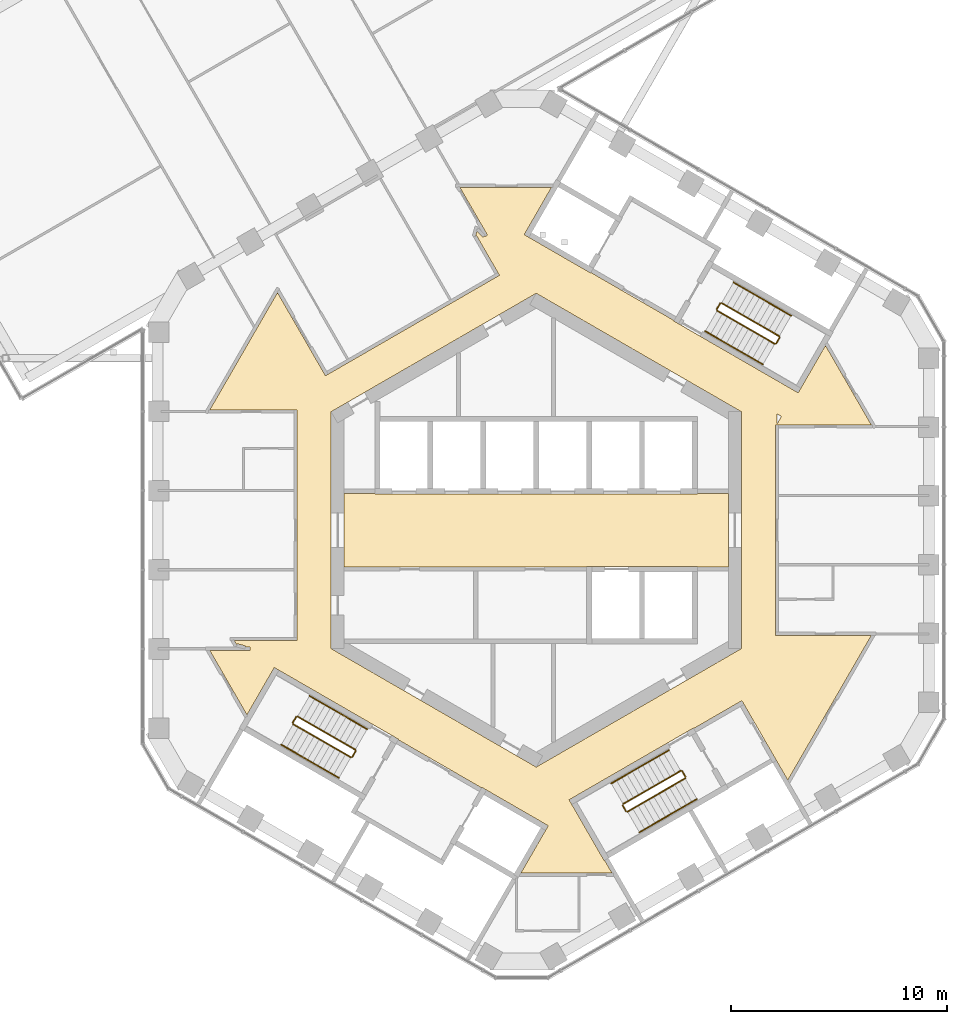
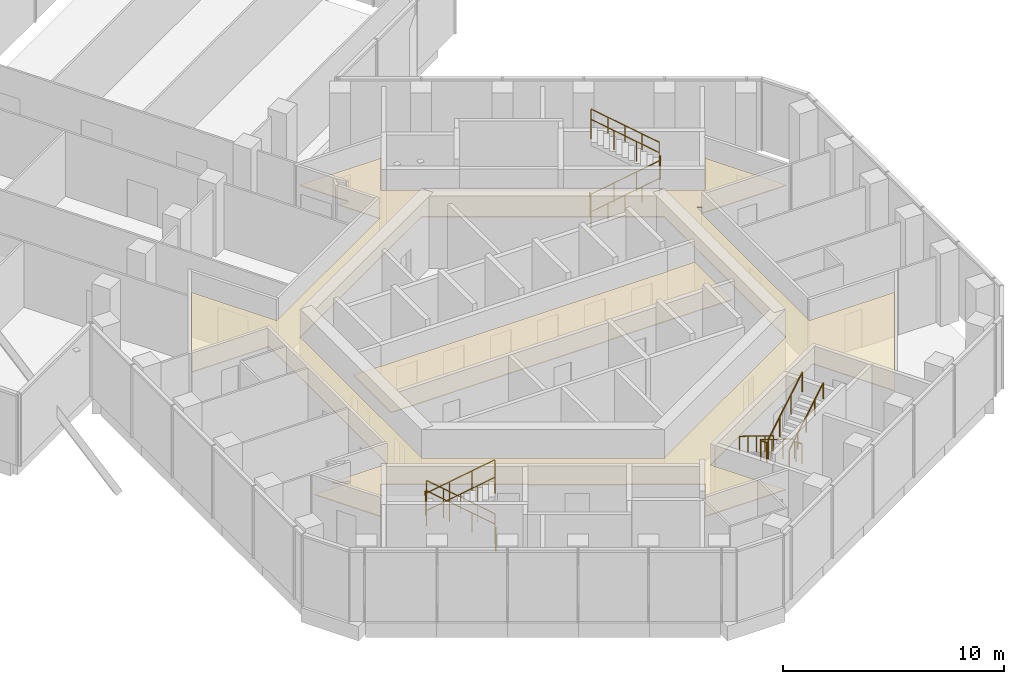
# One storey, part 20 of 21: 24 railings, 2 coverings.
"""IFC4 building model written with IfcOpenShell, lengths in metres."""

from ifc_helpers import new_model, si_unit, direction, frame, origin, origin_2d, place, context, subcontext, project, spatial, polyline, circle, outline, extrude, material, layer, layer_set, type_object, element, save


model = new_model("IFC4")

# Units and contexts
model_context = context("Model", 3, precision=1e-05, world=origin(), true_north=direction((0.0, 1.0)))
body_context = subcontext(model_context, "Body", "Model", "MODEL_VIEW")
ifc_project = project(units=[si_unit("LENGTHUNIT", "METRE"), si_unit("AREAUNIT", "SQUARE_METRE"), si_unit("VOLUMEUNIT", "CUBIC_METRE"), si_unit("PLANEANGLEUNIT", "RADIAN"), si_unit("MASSUNIT", "GRAM", prefix="KILO")], contexts=[model_context])

# Site, building, storey
site_placement = place(None, origin())
site = spatial("IfcSite", under=ifc_project, at=site_placement, CompositionType="ELEMENT")
building_placement = place(site_placement, origin())
building = spatial("IfcBuilding", under=site, at=building_placement, Name="Ayvan Gate Tower", CompositionType="ELEMENT")
storey_placement = place(building_placement, frame((0.0, 0.0, 190.699951171875)))
storey = spatial("IfcBuildingStorey", under=building, at=storey_placement, Name="L51", CompositionType="ELEMENT", Elevation=190.699951171875)

# Coverings
ifc_material_1 = material(Name="Plasterboard suspended ceiling")
ifc_layer = layer(ifc_material_1, 0.050048828125)
ifc_layer_set = layer_set([ifc_layer], Name="Plasterboard suspended ceiling")
covering_type = type_object("IfcCoveringType", Name="CT-SUSP-50", PredefinedType="CEILING", material=ifc_layer_set)
covering_1_placement = place(storey_placement, frame((0.0, 0.0, 2.400146484375)))
element("IfcCovering", 1, at=covering_1_placement, inside=storey, type_object=covering_type, Name="Ceiling Lift Lobby L51", PredefinedType="CEILING", context=body_context, shape_type="SweptSolid", body=[
    extrude(outline(polyline([(7.47509765625, -1.675048828125), (2.324951171875, -1.675048828125), (2.324951171875, -1.699951171875), (-8.89990234375, -1.699951171875), (-8.89990234375, 1.699951171875), (-7.47509765625, 1.699951171875), (-7.47509765625, 1.675048828125), (7.47509765625, 1.675048828125), (7.47509765625, 1.699951171875), (8.89990234375, 1.699951171875), (8.89990234375, -1.699951171875), (7.47509765625, -1.699951171875), (7.47509765625, -1.675048828125)])), origin(), (0.0, 0.0, 1.0), 0.0498046875),
])
covering_2_placement = place(storey_placement, frame((0.0, 0.0, 2.400146484375)))
element("IfcCovering", 2, at=covering_2_placement, inside=storey, type_object=covering_type, Name="Ceiling Ring Corridor L51", PredefinedType="CEILING", context=body_context, shape_type="SweptSolid", body=[
    extrude(outline(polyline([(-13.979248046875, -5.115478515625), (-11.074951171875, -5.115478515625), (-11.074951171875, 5.5654296875), (-15.12109375, 5.5654296875), (-11.982421875, 11.001708984375), (-9.760498046875, 7.153076171875), (-9.630615234375, 7.22802734375), (-1.704345703125, 11.80419921875), (-1.769287109375, 11.9169921875), (-2.768798828125, 13.648193359375), (-2.8076171875, 13.6259765625), (-2.744873046875, 13.84619140625), (-2.469482421875, 13.560302734375), (-2.406494140625, 13.620849609375), (-2.389404296875, 13.591064453125), (-2.331298828125, 13.62451171875), (-2.309326171875, 13.602294921875), (-2.324462890625, 13.62841796875), (-2.259521484375, 13.666015625), (-3.53662109375, 15.8779296875), (0.708984375, 15.8779296875), (-0.55615234375, 13.686767578125), (-0.339599609375, 13.561767578125), (2.518310546875, 11.91162109375), (2.53076171875, 11.933349609375), (6.384521484375, 9.70849609375), (6.3720703125, 9.686767578125), (6.588623046875, 9.561767578125), (12.131103515625, 6.36181640625), (12.24609375, 6.56103515625), (13.396240234375, 8.552978515625), (15.51904296875, 4.876220703125), (11.074951171875, 4.876220703125), (11.074951171875, -4.876220703125), (15.51904296875, -4.876220703125), (11.649658203125, -11.577880859375), (11.123779296875, -10.667236328125), (9.623779296875, -8.069091796875), (9.52392578125, -7.89599609375), (7.2939453125, -9.183349609375), (7.281494140625, -9.16162109375), (1.522216796875, -12.48681640625), (1.647216796875, -12.703369140625), (3.147216796875, -15.30126953125), (3.1689453125, -15.288818359375), (3.509033203125, -15.8779296875), (-0.708984375, -15.8779296875), (0.43115234375, -13.9033203125), (0.55615234375, -13.686767578125), (-2.284423828125, -12.046630859375), (-2.518310546875, -11.91162109375), (-2.53076171875, -11.933349609375), (-6.384521484375, -9.70849609375), (-6.3720703125, -9.686767578125), (-11.897216796875, -6.49658203125), (-12.131103515625, -6.36181640625), (-13.396240234375, -8.552978515625), (-15.12109375, -5.5654296875), (-13.25732421875, -5.5654296875), (-13.25732421875, -5.41552734375), (-13.46826171875, -5.41552734375), (-13.454833984375, -5.363525390625), (-13.855224609375, -5.260986328125), (-13.865966796875, -5.30322265625), (-13.979248046875, -5.115478515625)]), holes=[polyline([(11.35546875, 5.26806640625), (11.14990234375, 5.38671875), (11.14990234375, 4.912353515625), (11.35546875, 5.26806640625)]), polyline([(0.0, -10.9697265625), (1.529296875, -10.086669921875), (8.38720703125, -6.127197265625), (9.199951171875, -5.657958984375), (9.5, -5.48486328125), (9.5, 5.48486328125), (0.300048828125, 10.79638671875), (0.0, 10.9697265625), (-9.5, 5.48486328125), (-9.5, -5.48486328125), (-9.199951171875, -5.657958984375), (0.0, -10.9697265625)])]), origin(), (0.0, 0.0, 1.0), 0.0498046875),
])

# Railings
ifc_material_2 = material(Name="Stainless steel balustrade", Category="steel")
railing_type_1 = type_object("IfcRailingType", Name="RL-GUARD-1100", PredefinedType="GUARDRAIL", material=ifc_material_2)
railing_1_placement = place(storey_placement, frame((8.381103515625, 10.16650390625, 0.166748046875)))
element("IfcRailing", 3, at=railing_1_placement, inside=storey, type_object=railing_type_1, Name="L51 STS1 stair guard 1", PredefinedType="GUARDRAIL", context=body_context, shape_type="SweptSolid", body=[
    extrude(circle(Radius=0.02392578125, at=origin_2d()), frame((0.0, 0.0, 1.076171875), z_axis=(0.744189839504, -0.429649414936, 0.511451721109), x_axis=(0.499992328818, 0.866029832698, 0.0)), (0.0, 0.0, 1.0), 3.58447265625),
    extrude(circle(Radius=0.02099609375, at=origin_2d()), origin(), (0.0, 0.0, 1.0), 1.052001953125),
    extrude(circle(Radius=0.02099609375, at=origin_2d()), frame((0.88916015625, -0.513427734375, 0.611083984375)), (0.0, 0.0, 1.0), 1.052001953125),
    extrude(circle(Radius=0.02099609375, at=origin_2d()), frame((1.7783203125, -1.026611328125, 1.22216796875)), (0.0, 0.0, 1.0), 1.052001953125),
    extrude(circle(Radius=0.02099609375, at=origin_2d()), frame((2.66748046875, -1.5400390625, 1.833251953125)), (0.0, 0.0, 1.0), 1.052001953125),
])
railing_2_placement = place(storey_placement, frame((11.11669921875, 8.644775390625, 2.0)))
element("IfcRailing", 4, at=railing_2_placement, inside=storey, type_object=railing_type_1, Name="L51 STS1 stair guard 2", PredefinedType="GUARDRAIL", context=body_context, shape_type="SweptSolid", body=[
    extrude(circle(Radius=0.02392578125, at=origin_2d()), frame((0.0, 0.0, 1.076171875), z_axis=(0.499949632511, 0.866054481515, 0.0), x_axis=(-0.866054481515, 0.499949632511, 0.0)), (0.0, 0.0, 1.0), 0.31005859375),
    extrude(circle(Radius=0.02099609375, at=origin_2d()), origin(), (0.0, 0.0, 1.0), 1.052001953125),
    extrude(circle(Radius=0.02099609375, at=origin_2d()), frame((0.155029296875, 0.2685546875, 0.0)), (0.0, 0.0, 1.0), 1.052001953125),
])
railing_3_placement = place(storey_placement, frame((11.25341796875, 8.981689453125, 2.166748046875)))
element("IfcRailing", 5, at=railing_3_placement, inside=storey, type_object=railing_type_1, Name="L51 STS1 stair guard 3", PredefinedType="GUARDRAIL", context=body_context, shape_type="SweptSolid", body=[
    extrude(circle(Radius=0.02392578125, at=origin_2d()), frame((0.0, 0.0, 1.076171875), z_axis=(-0.74418122563, 0.429615651263, 0.511492615401), x_axis=(-0.499967199496, -0.866044340336, 0.0)), (0.0, 0.0, 1.0), 3.584228515625),
    extrude(circle(Radius=0.02099609375, at=origin_2d()), origin(), (0.0, 0.0, 1.0), 1.052001953125),
    extrude(circle(Radius=0.02099609375, at=origin_2d()), frame((-0.88916015625, 0.51318359375, 0.611083984375)), (0.0, 0.0, 1.0), 1.052001953125),
    extrude(circle(Radius=0.02099609375, at=origin_2d()), frame((-1.778076171875, 1.026611328125, 1.22216796875)), (0.0, 0.0, 1.0), 1.052001953125),
    extrude(circle(Radius=0.02099609375, at=origin_2d()), frame((-2.667236328125, 1.539794921875, 1.833251953125)), (0.0, 0.0, 1.0), 1.052001953125),
])
railing_4_placement = place(storey_placement, frame((8.36279296875, 10.23486328125, 0.0)))
element("IfcRailing", 6, at=railing_4_placement, inside=storey, type_object=railing_type_1, Name="L51 STS1 stair guard 4", PredefinedType="GUARDRAIL", context=body_context, shape_type="SweptSolid", body=[
    extrude(circle(Radius=0.02392578125, at=origin_2d()), frame((0.0, 0.0, 1.076171875), z_axis=(0.500290723946, 0.86585748916, 0.0), x_axis=(-0.86585748916, 0.500290723946, 0.0)), (0.0, 0.0, 1.0), 0.309814453125),
    extrude(circle(Radius=0.02099609375, at=origin_2d()), origin(), (0.0, 0.0, 1.0), 1.052001953125),
    extrude(circle(Radius=0.02099609375, at=origin_2d()), frame((0.155029296875, 0.268310546875, 0.0)), (0.0, 0.0, 1.0), 1.052001953125),
])
railing_5_placement = place(storey_placement, frame((-8.381103515625, -10.16650390625, 0.166748046875)))
element("IfcRailing", 7, at=railing_5_placement, inside=storey, type_object=railing_type_1, Name="L51 STS2 stair guard 1", PredefinedType="GUARDRAIL", context=body_context, shape_type="SweptSolid", body=[
    extrude(circle(Radius=0.02392578125, at=origin_2d()), frame((0.0, 0.0, 1.076171875), z_axis=(-0.744189839504, 0.429649414936, 0.511451721109), x_axis=(-0.499992328818, -0.866029832698, 0.0)), (0.0, 0.0, 1.0), 3.58447265625),
    extrude(circle(Radius=0.02099609375, at=origin_2d()), origin(), (0.0, 0.0, 1.0), 1.052001953125),
    extrude(circle(Radius=0.02099609375, at=origin_2d()), frame((-0.88916015625, 0.513427734375, 0.611083984375)), (0.0, 0.0, 1.0), 1.052001953125),
    extrude(circle(Radius=0.02099609375, at=origin_2d()), frame((-1.7783203125, 1.026611328125, 1.22216796875)), (0.0, 0.0, 1.0), 1.052001953125),
    extrude(circle(Radius=0.02099609375, at=origin_2d()), frame((-2.66748046875, 1.5400390625, 1.833251953125)), (0.0, 0.0, 1.0), 1.052001953125),
])
railing_6_placement = place(storey_placement, frame((-11.11669921875, -8.644775390625, 2.0)))
element("IfcRailing", 8, at=railing_6_placement, inside=storey, type_object=railing_type_1, Name="L51 STS2 stair guard 2", PredefinedType="GUARDRAIL", context=body_context, shape_type="SweptSolid", body=[
    extrude(circle(Radius=0.02392578125, at=origin_2d()), frame((0.0, 0.0, 1.076171875), z_axis=(-0.499949632511, -0.866054481515, 0.0), x_axis=(0.866054481515, -0.499949632511, 0.0)), (0.0, 0.0, 1.0), 0.31005859375),
    extrude(circle(Radius=0.02099609375, at=origin_2d()), origin(), (0.0, 0.0, 1.0), 1.052001953125),
    extrude(circle(Radius=0.02099609375, at=origin_2d()), frame((-0.155029296875, -0.2685546875, 0.0)), (0.0, 0.0, 1.0), 1.052001953125),
])
railing_7_placement = place(storey_placement, frame((-11.25341796875, -8.981689453125, 2.166748046875)))
element("IfcRailing", 9, at=railing_7_placement, inside=storey, type_object=railing_type_1, Name="L51 STS2 stair guard 3", PredefinedType="GUARDRAIL", context=body_context, shape_type="SweptSolid", body=[
    extrude(circle(Radius=0.02392578125, at=origin_2d()), frame((0.0, 0.0, 1.076171875), z_axis=(0.74418122563, -0.429615651263, 0.511492615401), x_axis=(0.499967199496, 0.866044340336, 0.0)), (0.0, 0.0, 1.0), 3.584228515625),
    extrude(circle(Radius=0.02099609375, at=origin_2d()), origin(), (0.0, 0.0, 1.0), 1.052001953125),
    extrude(circle(Radius=0.02099609375, at=origin_2d()), frame((0.88916015625, -0.51318359375, 0.611083984375)), (0.0, 0.0, 1.0), 1.052001953125),
    extrude(circle(Radius=0.02099609375, at=origin_2d()), frame((1.778076171875, -1.026611328125, 1.22216796875)), (0.0, 0.0, 1.0), 1.052001953125),
    extrude(circle(Radius=0.02099609375, at=origin_2d()), frame((2.667236328125, -1.539794921875, 1.833251953125)), (0.0, 0.0, 1.0), 1.052001953125),
])
railing_8_placement = place(storey_placement, frame((-8.36279296875, -10.23486328125, 0.0)))
element("IfcRailing", 10, at=railing_8_placement, inside=storey, type_object=railing_type_1, Name="L51 STS2 stair guard 4", PredefinedType="GUARDRAIL", context=body_context, shape_type="SweptSolid", body=[
    extrude(circle(Radius=0.02392578125, at=origin_2d()), frame((0.0, 0.0, 1.076171875), z_axis=(-0.500290723946, -0.86585748916, 0.0), x_axis=(0.86585748916, -0.500290723946, 0.0)), (0.0, 0.0, 1.0), 0.309814453125),
    extrude(circle(Radius=0.02099609375, at=origin_2d()), origin(), (0.0, 0.0, 1.0), 1.052001953125),
    extrude(circle(Radius=0.02099609375, at=origin_2d()), frame((-0.155029296875, -0.268310546875, 0.0)), (0.0, 0.0, 1.0), 1.052001953125),
])
railing_9_placement = place(storey_placement, frame((6.6923828125, -11.1416015625, 0.166748046875)))
element("IfcRailing", 11, at=railing_9_placement, inside=storey, type_object=railing_type_1, Name="L51 STS3 stair guard 1", PredefinedType="GUARDRAIL", context=body_context, shape_type="SweptSolid", body=[
    extrude(circle(Radius=0.02392578125, at=origin_2d()), frame((0.0, 0.0, 1.076171875), z_axis=(-0.744211616859, -0.429593874019, 0.511466687808), x_axis=(0.499932877268, -0.866064153644, 0.0)), (0.0, 0.0, 1.0), 3.584228515625),
    extrude(circle(Radius=0.02099609375, at=origin_2d()), origin(), (0.0, 0.0, 1.0), 1.052001953125),
    extrude(circle(Radius=0.02099609375, at=origin_2d()), frame((-0.88916015625, -0.51318359375, 0.611083984375)), (0.0, 0.0, 1.0), 1.052001953125),
    extrude(circle(Radius=0.02099609375, at=origin_2d()), frame((-1.7783203125, -1.026611328125, 1.22216796875)), (0.0, 0.0, 1.0), 1.052001953125),
    extrude(circle(Radius=0.02099609375, at=origin_2d()), frame((-2.66748046875, -1.539794921875, 1.833251953125)), (0.0, 0.0, 1.0), 1.052001953125),
])
railing_10_placement = place(storey_placement, frame((4.006591796875, -12.749755859375, 2.0)))
element("IfcRailing", 12, at=railing_10_placement, inside=storey, type_object=railing_type_1, Name="L51 STS3 stair guard 2", PredefinedType="GUARDRAIL", context=body_context, shape_type="SweptSolid", body=[
    extrude(circle(Radius=0.02392578125, at=origin_2d()), frame((0.0, 0.0, 1.076171875), z_axis=(0.499949632511, -0.866054481515, 0.0), x_axis=(0.866054481515, 0.499949632511, 0.0)), (0.0, 0.0, 1.0), 0.31005859375),
    extrude(circle(Radius=0.02099609375, at=origin_2d()), origin(), (0.0, 0.0, 1.0), 1.052001953125),
    extrude(circle(Radius=0.02099609375, at=origin_2d()), frame((0.155029296875, -0.2685546875, 0.0)), (0.0, 0.0, 1.0), 1.052001953125),
])
railing_11_placement = place(storey_placement, frame((4.22998046875, -13.03662109375, 2.166748046875)))
element("IfcRailing", 13, at=railing_11_placement, inside=storey, type_object=railing_type_1, Name="L51 STS3 stair guard 3", PredefinedType="GUARDRAIL", context=body_context, shape_type="SweptSolid", body=[
    extrude(circle(Radius=0.02392578125, at=origin_2d()), frame((0.0, 0.0, 1.076171875), z_axis=(0.744189839504, 0.429649414936, 0.511451721109), x_axis=(-0.499992328818, 0.866029832698, 0.0)), (0.0, 0.0, 1.0), 3.58447265625),
    extrude(circle(Radius=0.02099609375, at=origin_2d()), origin(), (0.0, 0.0, 1.0), 1.052001953125),
    extrude(circle(Radius=0.02099609375, at=origin_2d()), frame((0.88916015625, 0.513427734375, 0.611083984375)), (0.0, 0.0, 1.0), 1.052001953125),
    extrude(circle(Radius=0.02099609375, at=origin_2d()), frame((1.7783203125, 1.026611328125, 1.22216796875)), (0.0, 0.0, 1.0), 1.052001953125),
    extrude(circle(Radius=0.02099609375, at=origin_2d()), frame((2.66748046875, 1.5400390625, 1.833251953125)), (0.0, 0.0, 1.0), 1.052001953125),
])
railing_12_placement = place(storey_placement, frame((6.7607421875, -11.159912109375, 0.0)))
element("IfcRailing", 14, at=railing_12_placement, inside=storey, type_object=railing_type_1, Name="L51 STS3 stair guard 4", PredefinedType="GUARDRAIL", context=body_context, shape_type="SweptSolid", body=[
    extrude(circle(Radius=0.02392578125, at=origin_2d()), frame((0.0, 0.0, 1.076171875), z_axis=(0.500290723946, -0.86585748916, 0.0), x_axis=(0.86585748916, 0.500290723946, 0.0)), (0.0, 0.0, 1.0), 0.309814453125),
    extrude(circle(Radius=0.02099609375, at=origin_2d()), origin(), (0.0, 0.0, 1.0), 1.052001953125),
    extrude(circle(Radius=0.02099609375, at=origin_2d()), frame((0.155029296875, -0.268310546875, 0.0)), (0.0, 0.0, 1.0), 1.052001953125),
])
railing_type_2 = type_object("IfcRailingType", Name="RL-HANDRAIL-900", PredefinedType="HANDRAIL", material=ifc_material_2)
railing_13_placement = place(storey_placement, frame((7.8310546875, 9.2138671875, 0.166748046875)))
element("IfcRailing", 15, at=railing_13_placement, inside=storey, type_object=railing_type_2, Name="L51 STS1 stair handrail 1", PredefinedType="HANDRAIL", context=body_context, shape_type="SweptSolid", body=[
    extrude(circle(Radius=0.02392578125, at=origin_2d()), frame((0.0, 0.0, 0.8759765625), z_axis=(0.7441639146, -0.429634447492, 0.511502013422), x_axis=(0.499992328818, 0.866029832698, 0.0)), (0.0, 0.0, 1.0), 1.792236328125),
    extrude(circle(Radius=0.02099609375, at=origin_2d()), origin(), (0.0, 0.0, 1.0), 0.851806640625),
    extrude(circle(Radius=0.02099609375, at=origin_2d()), frame((0.6669921875, -0.385009765625, 0.45849609375)), (0.0, 0.0, 1.0), 0.851806640625),
    extrude(circle(Radius=0.02099609375, at=origin_2d()), frame((1.333740234375, -0.77001953125, 0.916748046875)), (0.0, 0.0, 1.0), 0.851806640625),
])
railing_14_placement = place(storey_placement, frame((9.164794921875, 8.44384765625, 1.08349609375)))
element("IfcRailing", 16, at=railing_14_placement, inside=storey, type_object=railing_type_2, Name="L51 STS1 stair handrail 2", PredefinedType="HANDRAIL", context=body_context, shape_type="SweptSolid", body=[
    extrude(circle(Radius=0.02392578125, at=origin_2d()), frame((0.0, 0.0, 0.8759765625), z_axis=(0.744215763664, -0.42966438195, 0.511401423539), x_axis=(0.499992328818, 0.866029832698, 0.0)), (0.0, 0.0, 1.0), 1.792236328125),
    extrude(circle(Radius=0.02099609375, at=origin_2d()), origin(), (0.0, 0.0, 1.0), 0.851806640625),
    extrude(circle(Radius=0.02099609375, at=origin_2d()), frame((0.6669921875, -0.385009765625, 0.458251953125)), (0.0, 0.0, 1.0), 0.851806640625),
    extrude(circle(Radius=0.02099609375, at=origin_2d()), frame((1.333740234375, -0.77001953125, 0.91650390625)), (0.0, 0.0, 1.0), 0.851806640625),
])
railing_15_placement = place(storey_placement, frame((11.803466796875, 9.93408203125, 2.166748046875)))
element("IfcRailing", 17, at=railing_15_placement, inside=storey, type_object=railing_type_2, Name="L51 STS1 stair handrail 3", PredefinedType="HANDRAIL", context=body_context, shape_type="SweptSolid", body=[
    extrude(circle(Radius=0.02392578125, at=origin_2d()), frame((0.0, 0.0, 0.8759765625), z_axis=(-0.7441639146, 0.429634447492, 0.511502013422), x_axis=(-0.499992328818, -0.866029832698, 0.0)), (0.0, 0.0, 1.0), 1.792236328125),
    extrude(circle(Radius=0.02099609375, at=origin_2d()), origin(), (0.0, 0.0, 1.0), 0.851806640625),
    extrude(circle(Radius=0.02099609375, at=origin_2d()), frame((-0.6669921875, 0.385009765625, 0.45849609375)), (0.0, 0.0, 1.0), 0.851806640625),
    extrude(circle(Radius=0.02099609375, at=origin_2d()), frame((-1.333740234375, 0.77001953125, 0.916748046875)), (0.0, 0.0, 1.0), 0.851806640625),
])
railing_16_placement = place(storey_placement, frame((10.4697265625, 10.7041015625, 3.08349609375)))
element("IfcRailing", 18, at=railing_16_placement, inside=storey, type_object=railing_type_2, Name="L51 STS1 stair handrail 4", PredefinedType="HANDRAIL", context=body_context, shape_type="SweptSolid", body=[
    extrude(circle(Radius=0.02392578125, at=origin_2d()), frame((0.0, 0.0, 0.8759765625), z_axis=(-0.744215763664, 0.42966438195, 0.511401423539), x_axis=(-0.499992328818, -0.866029832698, 0.0)), (0.0, 0.0, 1.0), 1.792236328125),
    extrude(circle(Radius=0.02099609375, at=origin_2d()), origin(), (0.0, 0.0, 1.0), 0.851806640625),
    extrude(circle(Radius=0.02099609375, at=origin_2d()), frame((-0.6669921875, 0.385009765625, 0.458251953125)), (0.0, 0.0, 1.0), 0.851806640625),
    extrude(circle(Radius=0.02099609375, at=origin_2d()), frame((-1.333740234375, 0.77001953125, 0.91650390625)), (0.0, 0.0, 1.0), 0.851806640625),
])
railing_17_placement = place(storey_placement, frame((-7.8310546875, -9.2138671875, 0.166748046875)))
element("IfcRailing", 19, at=railing_17_placement, inside=storey, type_object=railing_type_2, Name="L51 STS2 stair handrail 1", PredefinedType="HANDRAIL", context=body_context, shape_type="SweptSolid", body=[
    extrude(circle(Radius=0.02392578125, at=origin_2d()), frame((0.0, 0.0, 0.8759765625), z_axis=(-0.7441639146, 0.429634447492, 0.511502013422), x_axis=(-0.499992328818, -0.866029832698, 0.0)), (0.0, 0.0, 1.0), 1.792236328125),
    extrude(circle(Radius=0.02099609375, at=origin_2d()), origin(), (0.0, 0.0, 1.0), 0.851806640625),
    extrude(circle(Radius=0.02099609375, at=origin_2d()), frame((-0.6669921875, 0.385009765625, 0.45849609375)), (0.0, 0.0, 1.0), 0.851806640625),
    extrude(circle(Radius=0.02099609375, at=origin_2d()), frame((-1.333740234375, 0.77001953125, 0.916748046875)), (0.0, 0.0, 1.0), 0.851806640625),
])
railing_18_placement = place(storey_placement, frame((-9.164794921875, -8.44384765625, 1.08349609375)))
element("IfcRailing", 20, at=railing_18_placement, inside=storey, type_object=railing_type_2, Name="L51 STS2 stair handrail 2", PredefinedType="HANDRAIL", context=body_context, shape_type="SweptSolid", body=[
    extrude(circle(Radius=0.02392578125, at=origin_2d()), frame((0.0, 0.0, 0.8759765625), z_axis=(-0.744215763664, 0.42966438195, 0.511401423539), x_axis=(-0.499992328818, -0.866029832698, 0.0)), (0.0, 0.0, 1.0), 1.792236328125),
    extrude(circle(Radius=0.02099609375, at=origin_2d()), origin(), (0.0, 0.0, 1.0), 0.851806640625),
    extrude(circle(Radius=0.02099609375, at=origin_2d()), frame((-0.6669921875, 0.385009765625, 0.458251953125)), (0.0, 0.0, 1.0), 0.851806640625),
    extrude(circle(Radius=0.02099609375, at=origin_2d()), frame((-1.333740234375, 0.77001953125, 0.91650390625)), (0.0, 0.0, 1.0), 0.851806640625),
])
railing_19_placement = place(storey_placement, frame((-11.803466796875, -9.93408203125, 2.166748046875)))
element("IfcRailing", 21, at=railing_19_placement, inside=storey, type_object=railing_type_2, Name="L51 STS2 stair handrail 3", PredefinedType="HANDRAIL", context=body_context, shape_type="SweptSolid", body=[
    extrude(circle(Radius=0.02392578125, at=origin_2d()), frame((0.0, 0.0, 0.8759765625), z_axis=(0.7441639146, -0.429634447492, 0.511502013422), x_axis=(0.499992328818, 0.866029832698, 0.0)), (0.0, 0.0, 1.0), 1.792236328125),
    extrude(circle(Radius=0.02099609375, at=origin_2d()), origin(), (0.0, 0.0, 1.0), 0.851806640625),
    extrude(circle(Radius=0.02099609375, at=origin_2d()), frame((0.6669921875, -0.385009765625, 0.45849609375)), (0.0, 0.0, 1.0), 0.851806640625),
    extrude(circle(Radius=0.02099609375, at=origin_2d()), frame((1.333740234375, -0.77001953125, 0.916748046875)), (0.0, 0.0, 1.0), 0.851806640625),
])
railing_20_placement = place(storey_placement, frame((-10.4697265625, -10.7041015625, 3.08349609375)))
element("IfcRailing", 22, at=railing_20_placement, inside=storey, type_object=railing_type_2, Name="L51 STS2 stair handrail 4", PredefinedType="HANDRAIL", context=body_context, shape_type="SweptSolid", body=[
    extrude(circle(Radius=0.02392578125, at=origin_2d()), frame((0.0, 0.0, 0.8759765625), z_axis=(0.744215763664, -0.42966438195, 0.511401423539), x_axis=(0.499992328818, 0.866029832698, 0.0)), (0.0, 0.0, 1.0), 1.792236328125),
    extrude(circle(Radius=0.02099609375, at=origin_2d()), origin(), (0.0, 0.0, 1.0), 0.851806640625),
    extrude(circle(Radius=0.02099609375, at=origin_2d()), frame((0.6669921875, -0.385009765625, 0.458251953125)), (0.0, 0.0, 1.0), 0.851806640625),
    extrude(circle(Radius=0.02099609375, at=origin_2d()), frame((1.333740234375, -0.77001953125, 0.91650390625)), (0.0, 0.0, 1.0), 0.851806640625),
])
railing_21_placement = place(storey_placement, frame((6.142333984375, -10.18896484375, 0.166748046875)))
element("IfcRailing", 23, at=railing_21_placement, inside=storey, type_object=railing_type_2, Name="L51 STS3 stair handrail 1", PredefinedType="HANDRAIL", context=body_context, shape_type="SweptSolid", body=[
    extrude(circle(Radius=0.02392578125, at=origin_2d()), frame((0.0, 0.0, 0.8759765625), z_axis=(-0.7441639146, -0.429634447492, 0.511502013422), x_axis=(0.499992328818, -0.866029832698, 0.0)), (0.0, 0.0, 1.0), 1.792236328125),
    extrude(circle(Radius=0.02099609375, at=origin_2d()), origin(), (0.0, 0.0, 1.0), 0.851806640625),
    extrude(circle(Radius=0.02099609375, at=origin_2d()), frame((-0.6669921875, -0.385009765625, 0.45849609375)), (0.0, 0.0, 1.0), 0.851806640625),
    extrude(circle(Radius=0.02099609375, at=origin_2d()), frame((-1.333740234375, -0.77001953125, 0.916748046875)), (0.0, 0.0, 1.0), 0.851806640625),
])
railing_22_placement = place(storey_placement, frame((4.80859375, -10.958984375, 1.08349609375)))
element("IfcRailing", 24, at=railing_22_placement, inside=storey, type_object=railing_type_2, Name="L51 STS3 stair handrail 2", PredefinedType="HANDRAIL", context=body_context, shape_type="SweptSolid", body=[
    extrude(circle(Radius=0.02392578125, at=origin_2d()), frame((0.0, 0.0, 0.8759765625), z_axis=(-0.744198540083, -0.429596850399, 0.511483214843), x_axis=(0.499942064311, -0.866058850386, 0.0)), (0.0, 0.0, 1.0), 1.791748046875),
    extrude(circle(Radius=0.02099609375, at=origin_2d()), origin(), (0.0, 0.0, 1.0), 0.851806640625),
    extrude(circle(Radius=0.02099609375, at=origin_2d()), frame((-0.666748046875, -0.384765625, 0.458251953125)), (0.0, 0.0, 1.0), 0.851806640625),
    extrude(circle(Radius=0.02099609375, at=origin_2d()), frame((-1.33349609375, -0.769775390625, 0.91650390625)), (0.0, 0.0, 1.0), 0.851806640625),
])
railing_23_placement = place(storey_placement, frame((4.780029296875, -13.9892578125, 2.166748046875)))
element("IfcRailing", 25, at=railing_23_placement, inside=storey, type_object=railing_type_2, Name="L51 STS3 stair handrail 3", PredefinedType="HANDRAIL", context=body_context, shape_type="SweptSolid", body=[
    extrude(circle(Radius=0.02392578125, at=origin_2d()), frame((0.0, 0.0, 0.8759765625), z_axis=(0.7441639146, 0.429634447492, 0.511502013422), x_axis=(-0.499992328818, 0.866029832698, 0.0)), (0.0, 0.0, 1.0), 1.792236328125),
    extrude(circle(Radius=0.02099609375, at=origin_2d()), origin(), (0.0, 0.0, 1.0), 0.851806640625),
    extrude(circle(Radius=0.02099609375, at=origin_2d()), frame((0.6669921875, 0.385009765625, 0.45849609375)), (0.0, 0.0, 1.0), 0.851806640625),
    extrude(circle(Radius=0.02099609375, at=origin_2d()), frame((1.333740234375, 0.77001953125, 0.916748046875)), (0.0, 0.0, 1.0), 0.851806640625),
])
railing_24_placement = place(storey_placement, frame((6.11376953125, -13.21923828125, 3.08349609375)))
element("IfcRailing", 26, at=railing_24_placement, inside=storey, type_object=railing_type_2, Name="L51 STS3 stair handrail 4", PredefinedType="HANDRAIL", context=body_context, shape_type="SweptSolid", body=[
    extrude(circle(Radius=0.02392578125, at=origin_2d()), frame((0.0, 0.0, 0.8759765625), z_axis=(0.744154977086, 0.429707945391, 0.511453274255), x_axis=(-0.500060979923, 0.865990194147, 0.0)), (0.0, 0.0, 1.0), 1.7919921875),
    extrude(circle(Radius=0.02099609375, at=origin_2d()), origin(), (0.0, 0.0, 1.0), 0.851806640625),
    extrude(circle(Radius=0.02099609375, at=origin_2d()), frame((0.666748046875, 0.385009765625, 0.458251953125)), (0.0, 0.0, 1.0), 0.851806640625),
    extrude(circle(Radius=0.02099609375, at=origin_2d()), frame((1.33349609375, 0.77001953125, 0.91650390625)), (0.0, 0.0, 1.0), 0.851806640625),
])

save(model, "model.ifc")
